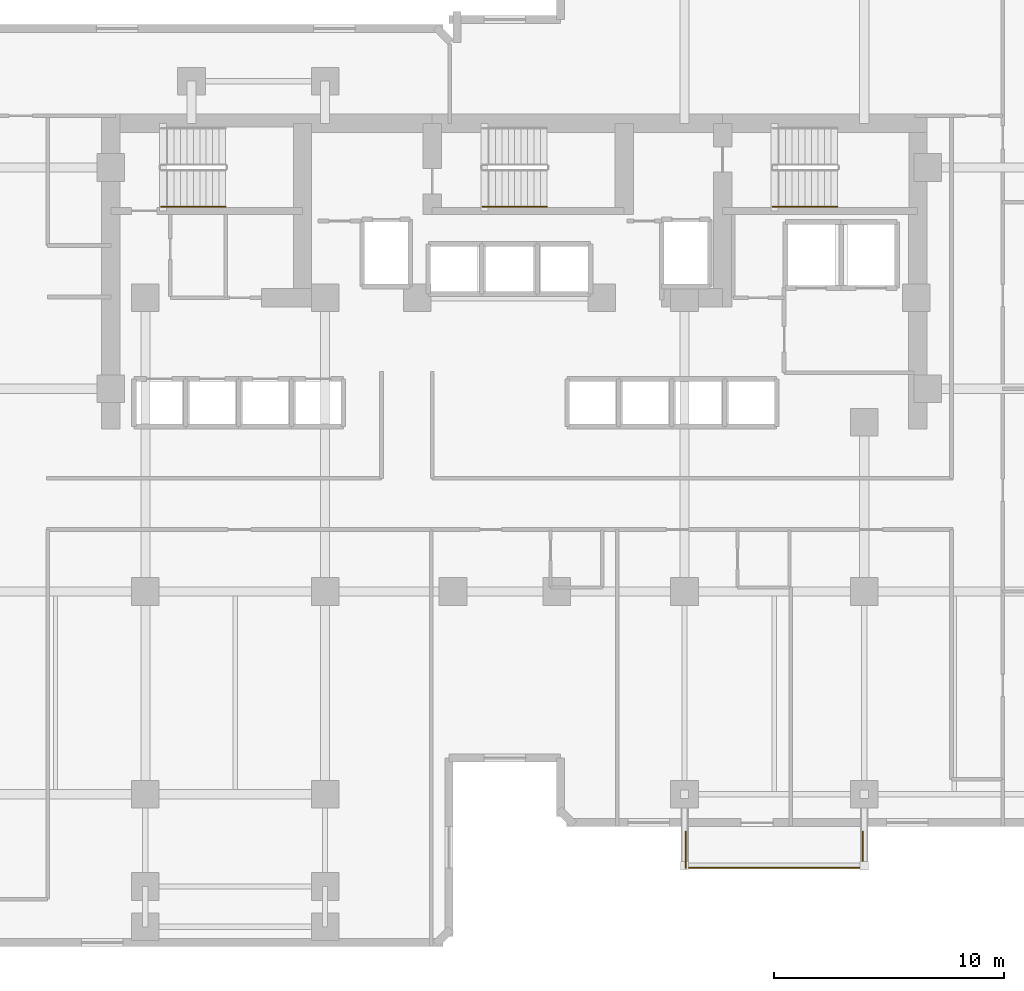
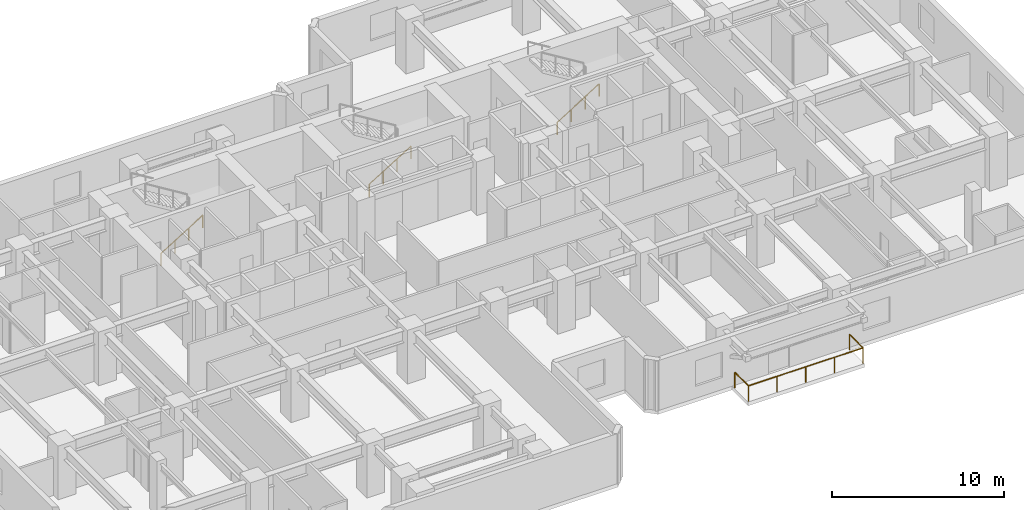
# One storey, part 10 of 11: 5 railings.
"""IFC4 building model written with IfcOpenShell, lengths in metres."""

from ifc_helpers import new_model, si_unit, direction, frame, origin, origin_2d, place, context, subcontext, project, spatial, circle, extrude, material, type_object, element, save


model = new_model("IFC4")

# Units and contexts
model_context = context("Model", 3, precision=1e-05, world=origin(), true_north=direction((0.0, 1.0)))
body_context = subcontext(model_context, "Body", "Model", "MODEL_VIEW")
ifc_project = project(units=[si_unit("LENGTHUNIT", "METRE"), si_unit("AREAUNIT", "SQUARE_METRE"), si_unit("VOLUMEUNIT", "CUBIC_METRE"), si_unit("PLANEANGLEUNIT", "RADIAN"), si_unit("MASSUNIT", "GRAM", prefix="KILO")], contexts=[model_context])

# Site, building, storey
site_placement = place(None, origin())
site = spatial("IfcSite", under=ifc_project, at=site_placement, CompositionType="ELEMENT")
building_placement = place(site_placement, origin())
building = spatial("IfcBuilding", under=site, at=building_placement, Name="Kestravale Grand Hotel", CompositionType="ELEMENT")
storey_placement = place(building_placement, frame((0.0, 0.0, 84.199951171875)))
storey = spatial("IfcBuildingStorey", under=building, at=storey_placement, Name="L20", CompositionType="ELEMENT", Elevation=84.199951171875)

# Railings
ifc_material_1 = material(Name="Champagne-bronze stainless steel and laminated glass guard", Category="steel")
railing_type_1 = type_object("IfcRailingType", Name="RL-EXT-1100", PredefinedType="GUARDRAIL", material=ifc_material_1)
railing_1_placement = place(storey_placement, frame((46.860107421875, 8.010009765625, 0.0)))
element("IfcRailing", 1, at=railing_1_placement, inside=storey, type_object=railing_type_1, Name="L20 outdoor terrace guard 1", PredefinedType="GUARDRAIL", context=body_context, shape_type="SweptSolid", body=[
    extrude(circle(Radius=0.02392578125, at=origin_2d()), frame((0.0, 0.0, 1.09619140625), z_axis=(0.0, 1.0, 0.0), x_axis=(-1.0, 0.0, 0.0)), (0.0, 0.0, 1.0), 1.570068359375),
    extrude(circle(Radius=0.02099609375, at=origin_2d()), origin(), (0.0, 0.0, 1.0), 1.072021484375),
    extrude(circle(Radius=0.02099609375, at=origin_2d()), frame((0.0, 1.570068359375, 0.0)), (0.0, 0.0, 1.0), 1.072021484375),
])
railing_2_placement = place(storey_placement, frame((54.5400390625, 9.580078125, 0.0)))
element("IfcRailing", 2, at=railing_2_placement, inside=storey, type_object=railing_type_1, Name="L20 outdoor terrace guard 2", PredefinedType="GUARDRAIL", context=body_context, shape_type="SweptSolid", body=[
    extrude(circle(Radius=0.02392578125, at=origin_2d()), frame((0.0, 0.0, 1.09619140625), z_axis=(0.0, -1.0, 0.0), x_axis=(1.0, 0.0, 0.0)), (0.0, 0.0, 1.0), 1.570068359375),
    extrude(circle(Radius=0.02392578125, at=origin_2d()), frame((0.0, -1.570068359375, 1.09619140625), z_axis=(-1.0, 0.0, 0.0), x_axis=(0.0, -1.0, 0.0)), (0.0, 0.0, 1.0), 7.679931640625),
    extrude(circle(Radius=0.02099609375, at=origin_2d()), origin(), (0.0, 0.0, 1.0), 1.072021484375),
    extrude(circle(Radius=0.02099609375, at=origin_2d()), frame((0.0, -1.570068359375, 0.0)), (0.0, 0.0, 1.0), 1.072021484375),
    extrude(circle(Radius=0.02099609375, at=origin_2d()), frame((-1.919921875, -1.570068359375, 0.0)), (0.0, 0.0, 1.0), 1.072021484375),
    extrude(circle(Radius=0.02099609375, at=origin_2d()), frame((-3.83984375, -1.570068359375, 0.0)), (0.0, 0.0, 1.0), 1.072021484375),
    extrude(circle(Radius=0.02099609375, at=origin_2d()), frame((-5.760009765625, -1.570068359375, 0.0)), (0.0, 0.0, 1.0), 1.072021484375),
    extrude(circle(Radius=0.02099609375, at=origin_2d()), frame((-7.679931640625, -1.570068359375, 0.0)), (0.0, 0.0, 1.0), 1.072021484375),
])
ifc_material_2 = material(Name="Brushed stainless steel wall handrail", Category="steel")
railing_type_2 = type_object("IfcRailingType", Name="RL-ST-HND900", PredefinedType="HANDRAIL", material=ifc_material_2)
railing_3_placement = place(storey_placement, frame((24.080078125, 36.699951171875, 0.1728515625)))
element("IfcRailing", 3, at=railing_3_placement, inside=storey, type_object=railing_type_2, Name="L20 ST-1 stair handrail 1", PredefinedType="HANDRAIL", context=body_context, shape_type="SweptSolid", body=[
    extrude(circle(Radius=0.02392578125, at=origin_2d()), frame((0.0, 0.0, 0.8759765625), z_axis=(0.851069175582, 0.0, 0.525053576669), x_axis=(0.0, 1.0, 0.0)), (0.0, 0.0, 1.0), 3.289794921875),
    extrude(circle(Radius=0.02099609375, at=origin_2d()), origin(), (0.0, 0.0, 1.0), 0.851806640625),
    extrude(circle(Radius=0.02099609375, at=origin_2d()), frame((0.933349609375, 0.0, 0.57568359375)), (0.0, 0.0, 1.0), 0.851806640625),
    extrude(circle(Radius=0.02099609375, at=origin_2d()), frame((1.866455078125, 0.0, 1.151611328125)), (0.0, 0.0, 1.0), 0.851806640625),
    extrude(circle(Radius=0.02099609375, at=origin_2d()), frame((2.7998046875, 0.0, 1.727294921875)), (0.0, 0.0, 1.0), 0.851806640625),
])
for number, where, name in (
    (4, (38.030029296875, 36.699951171875, 0.1728515625), "L20 ST-2 stair handrail 1"),
    (5, (50.6298828125, 36.699951171875, 0.1728515625), "L20 ST-3 stair handrail 1"),
):
    element("IfcRailing", number, at=place(storey_placement, frame(where)), inside=storey, type_object=railing_type_2, Name=name, PredefinedType="HANDRAIL", context=body_context, shape_type="SweptSolid", body=[
        extrude(circle(Radius=0.02392578125, at=origin_2d()), frame((0.0, 0.0, 0.8759765625), z_axis=(0.851089632645, 0.0, 0.525020415988), x_axis=(0.0, 1.0, 0.0)), (0.0, 0.0, 1.0), 3.2900390625),
        extrude(circle(Radius=0.02099609375, at=origin_2d()), origin(), (0.0, 0.0, 1.0), 0.851806640625),
        extrude(circle(Radius=0.02099609375, at=origin_2d()), frame((0.933349609375, 0.0, 0.57568359375)), (0.0, 0.0, 1.0), 0.851806640625),
        extrude(circle(Radius=0.02099609375, at=origin_2d()), frame((1.86669921875, 0.0, 1.151611328125)), (0.0, 0.0, 1.0), 0.851806640625),
        extrude(circle(Radius=0.02099609375, at=origin_2d()), frame((2.800048828125, 0.0, 1.727294921875)), (0.0, 0.0, 1.0), 0.851806640625),
    ])

save(model, "model.ifc")
